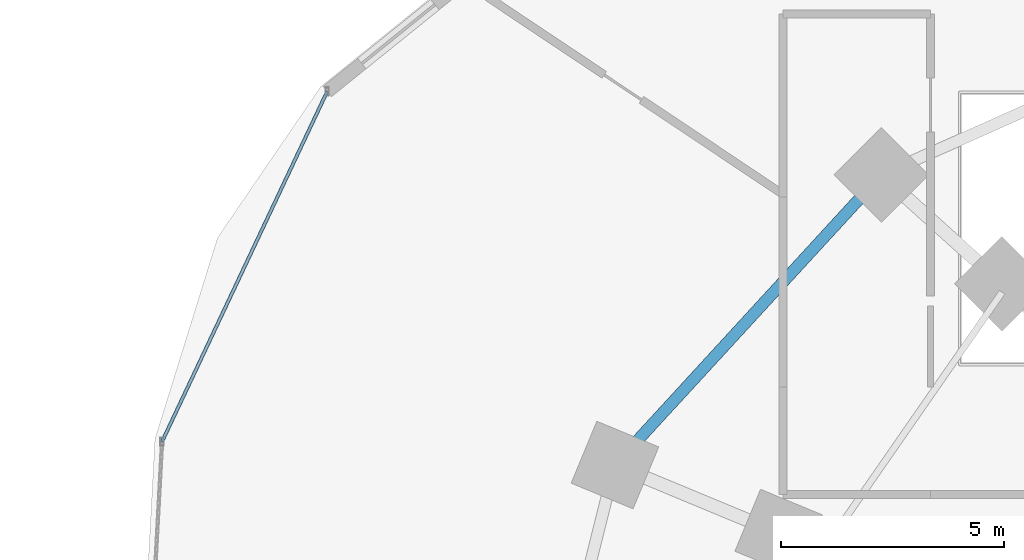
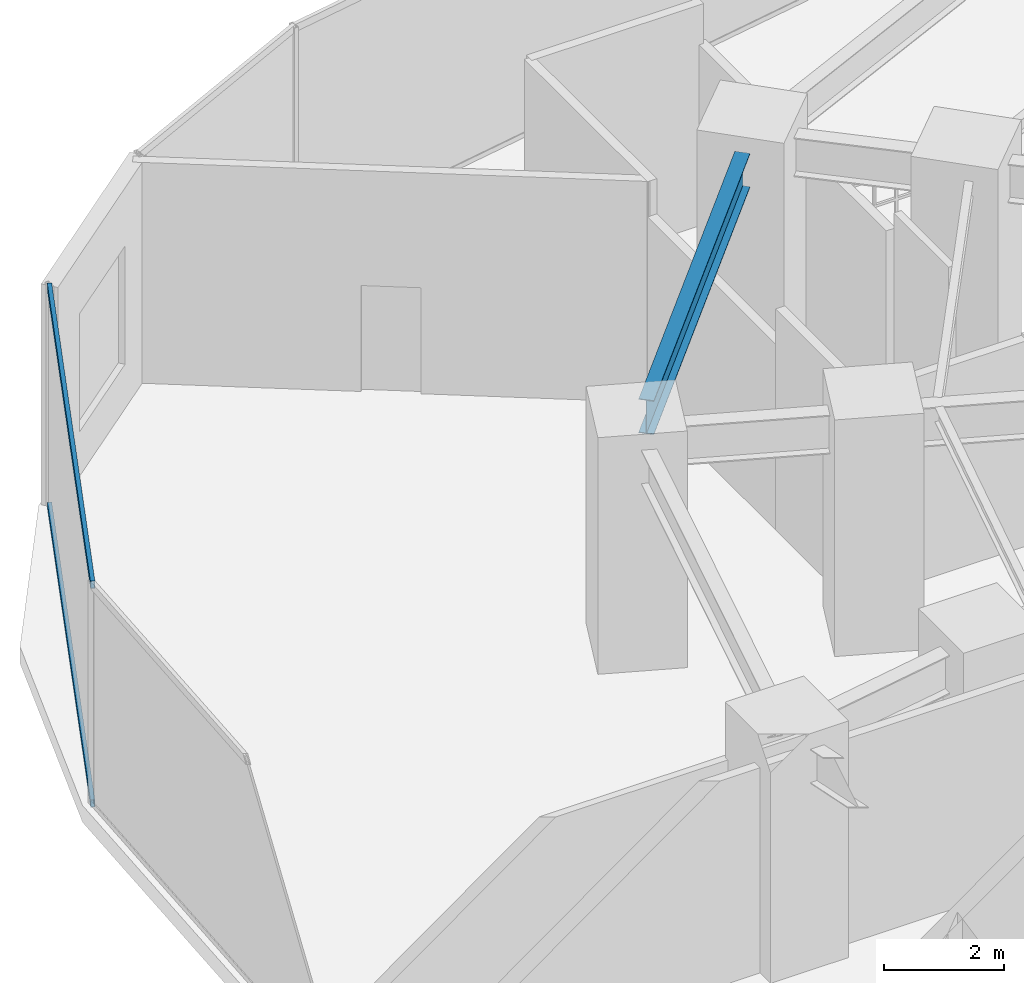
# One storey, part 15 of 36: 2 members, 1 beam, 1 element without a shape of its own.
"""IFC4 building model written with IfcOpenShell, lengths in metres."""

from ifc_helpers import new_model, si_unit, direction, frame, origin, origin_2d, place, context, subcontext, project, spatial, hollow_rectangle, i_section, extrude, material, material_profile, profile_set, type_object, element, aggregate, save


model = new_model("IFC4")

# Units and contexts
model_context = context("Model", 3, precision=1e-05, world=origin(), true_north=direction((0.0, 1.0)))
body_context = subcontext(model_context, "Body", "Model", "MODEL_VIEW")
ifc_project = project(units=[si_unit("LENGTHUNIT", "METRE"), si_unit("AREAUNIT", "SQUARE_METRE"), si_unit("VOLUMEUNIT", "CUBIC_METRE"), si_unit("PLANEANGLEUNIT", "RADIAN"), si_unit("MASSUNIT", "GRAM", prefix="KILO")], contexts=[model_context])

# Site, building, storey
site_placement = place(None, origin())
site = spatial("IfcSite", under=ifc_project, at=site_placement, CompositionType="ELEMENT")
building_placement = place(site_placement, origin())
building = spatial("IfcBuilding", under=site, at=building_placement, Name="Vorneva Point Tower", CompositionType="ELEMENT")
storey_placement = place(building_placement, origin())
storey = spatial("IfcBuildingStorey", under=building, at=storey_placement, Name="L00", CompositionType="ELEMENT", Elevation=0.0)

# Beam
ifc_material_1 = material(Name="Steel S355", Category="steel")
ifc_material_profile_1 = material_profile(ifc_material_1, i_section(OverallWidth=0.260009765625, OverallDepth=0.69091796875, WebThickness=0.011962890625, FlangeThickness=0.015380859375, at=origin_2d()), Name="70B1")
ifc_profile_set_1 = profile_set([ifc_material_profile_1], Name="Steel S355")
beam_type = type_object("IfcBeamType", Name="BM-SPN-70B1", PredefinedType="SPANDREL", material=ifc_profile_set_1)
beam_placement = place(storey_placement, frame((18.505615234375, 40.058349609375, 4.134521484375), z_axis=(-0.676377408326, -0.736555226379, 0.0), x_axis=(0.736555226379, -0.676377408326, 0.0)))
element("IfcBeam", 1, at=beam_placement, inside=storey, type_object=beam_type, Name="L00 Perimeter Spandrel Ring Beam 07", PredefinedType="SPANDREL", context=body_context, shape_type="SweptSolid", body=[
    extrude(i_section(OverallWidth=0.260009765625, OverallDepth=0.69091796875, WebThickness=0.011962890625, FlangeThickness=0.015380859375, at=origin_2d()), origin(), (0.0, 0.0, 1.0), 7.34716796875),
])

# Curtain wall, members
ifc_material_2 = material(Name="Pale anodised aluminium", Category="aluminium")
curtain_wall_type = type_object("IfcCurtainWallType", Name="CW-POD-SYS", PredefinedType="NOTDEFINED", material=ifc_material_2)
curtain_wall_placement = place(storey_placement, origin())
curtain_wall = element("IfcCurtainWall", 2, at=curtain_wall_placement, inside=storey, type_object=curtain_wall_type, Name="L00 Unitised Curtain Wall CW-L00-R04", PredefinedType="NOTDEFINED")
ifc_material_profile_2 = material_profile(ifc_material_2, hollow_rectangle(XDim=0.074951171875, YDim=0.14990234375, WallThickness=0.00390625, at=origin_2d()), Name="AL-TRN 150x75x4")
ifc_profile_set_2 = profile_set([ifc_material_profile_2], Name="Pale anodised aluminium")
member_type = type_object("IfcMemberType", Name="CW-TRN-150", PredefinedType="USERDEFINED", material=ifc_profile_set_2)
member_1_placement = place(storey_placement, frame((6.59814453125, 42.46630859375, 0.02001953125), z_axis=(-0.426547348552, -0.904465233961, 0.0), x_axis=(0.904465233961, -0.426547348552, 0.0)))
member_1 = element("IfcMember", 3, at=member_1_placement, type_object=member_type, Name="CW-L00-R04 Transom 01.1", ObjectType="TRANSOM", PredefinedType="USERDEFINED", context=body_context, shape_type="SweptSolid", body=[
    extrude(hollow_rectangle(XDim=0.074951171875, YDim=0.14990234375, WallThickness=0.00390625, at=origin_2d()), origin(), (0.0, 0.0, 1.0), 8.663818359375),
])
member_2_placement = place(storey_placement, frame((6.59814453125, 42.46630859375, 4.4599609375), z_axis=(-0.426547348552, -0.904465233961, 0.0), x_axis=(0.904465233961, -0.426547348552, 0.0)))
member_2 = element("IfcMember", 4, at=member_2_placement, type_object=member_type, Name="CW-L00-R04 Transom 01.2", ObjectType="TRANSOM", PredefinedType="USERDEFINED", context=body_context, shape_type="SweptSolid", body=[
    extrude(hollow_rectangle(XDim=0.074951171875, YDim=0.14990234375, WallThickness=0.00390625, at=origin_2d()), origin(), (0.0, 0.0, 1.0), 8.663818359375),
])
aggregate(curtain_wall, [member_1, member_2])

save(model, "model.ifc")
